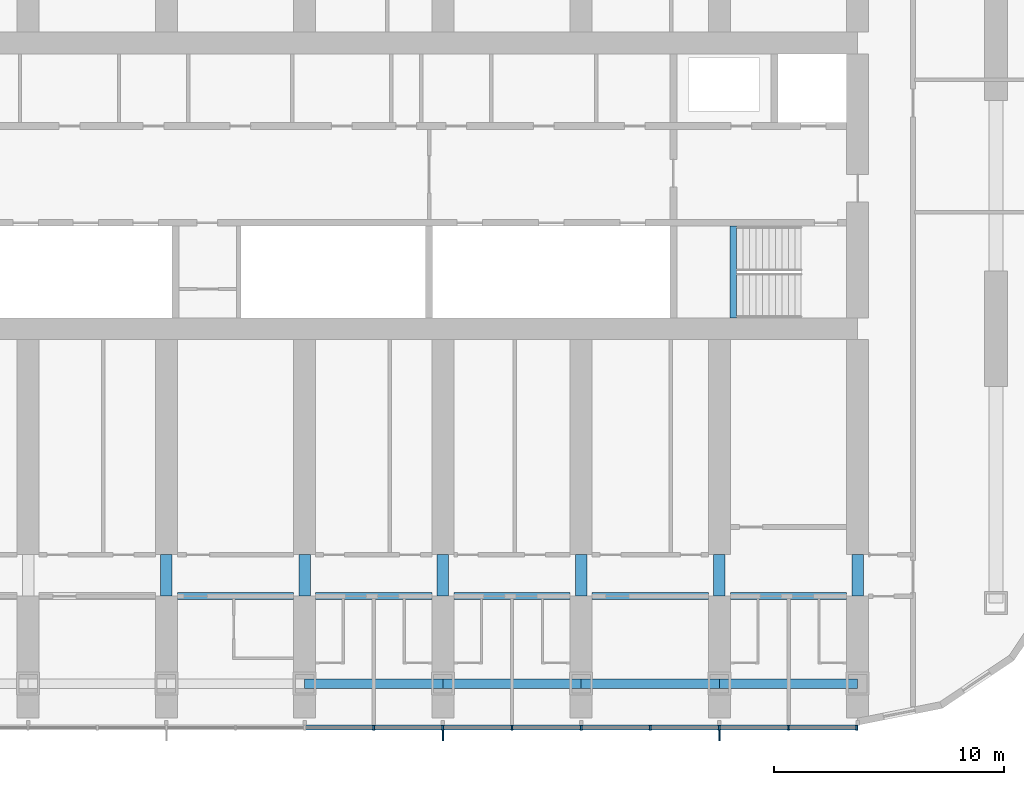
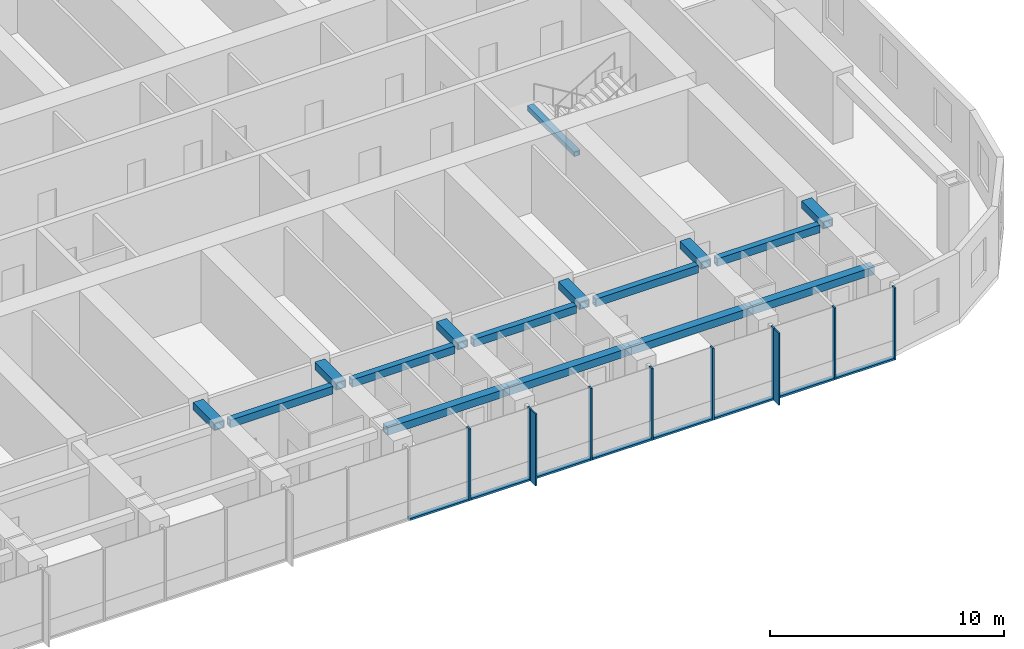
# One storey, part 3 of 21: 18 members, 16 beams, 1 element without a shape of its own.
"""IFC4 building model written with IfcOpenShell, lengths in metres."""

from ifc_helpers import new_model, si_unit, direction, frame, origin, origin_2d, place, context, subcontext, project, spatial, rectangle, hollow_rectangle, extrude, material, material_profile, profile_set, type_object, element, aggregate, save


model = new_model("IFC4")

# Units and contexts
model_context = context("Model", 3, precision=1e-05, world=origin(), true_north=direction((0.0, 1.0)))
body_context = subcontext(model_context, "Body", "Model", "MODEL_VIEW")
ifc_project = project(units=[si_unit("LENGTHUNIT", "METRE"), si_unit("AREAUNIT", "SQUARE_METRE"), si_unit("VOLUMEUNIT", "CUBIC_METRE"), si_unit("PLANEANGLEUNIT", "RADIAN"), si_unit("MASSUNIT", "GRAM", prefix="KILO")], contexts=[model_context])

# Site, building, storey
site_placement = place(None, origin())
site = spatial("IfcSite", under=ifc_project, at=site_placement, CompositionType="ELEMENT")
building_placement = place(site_placement, origin())
building = spatial("IfcBuilding", under=site, at=building_placement, Name="Orbita Commons", CompositionType="ELEMENT")
storey_placement = place(building_placement, frame((0.0, 0.0, 103.14990234375)))
storey = spatial("IfcBuildingStorey", under=building, at=storey_placement, Name="L25", CompositionType="ELEMENT", Elevation=103.14990234375)

# Curtain wall, members
ifc_material_1 = material(Name="Anodised aluminium frame, pale silver", Category="aluminium")
curtain_wall_type = type_object("IfcCurtainWallType", Name="Unitised curtain wall CW-T, vision and spandrel", PredefinedType="NOTDEFINED", material=ifc_material_1)
curtain_wall_placement = place(storey_placement, origin())
curtain_wall = element("IfcCurtainWall", 1, at=curtain_wall_placement, inside=storey, type_object=curtain_wall_type, Name="Curtain wall south L25", PredefinedType="NOTDEFINED")
ifc_material_2 = material(Name="Anodised aluminium, pale silver", Category="aluminium")
ifc_material_profile_1 = material_profile(ifc_material_2, rectangle(XDim=0.080078125, YDim=0.219970703125, at=origin_2d()), Name="AL 80x220")
ifc_profile_set_1 = profile_set([ifc_material_profile_1], Name="Anodised aluminium, pale silver")
member_type_1 = type_object("IfcMemberType", Name="Curtain wall mullion 80x220", PredefinedType="MULLION", material=ifc_profile_set_1)
member_1_placement = place(storey_placement, frame((45.0, 8.489990234375, -0.25), z_axis=(0.0, 0.0, 1.0), x_axis=(1.0, 0.0, 0.0)))
member_1 = element("IfcMember", 2, at=member_1_placement, type_object=member_type_1, Name="Mullion 12 CW-L25-S", PredefinedType="MULLION", context=body_context, shape_type="SweptSolid", body=[
    extrude(rectangle(XDim=0.080078125, YDim=0.219970703125, at=origin_2d()), origin(), (0.0, 0.0, 1.0), 3.75),
])
member_2_placement = place(storey_placement, frame((48.0, 8.489990234375, -0.25), z_axis=(0.0, 0.0, 1.0), x_axis=(1.0, 0.0, 0.0)))
member_2 = element("IfcMember", 3, at=member_2_placement, type_object=member_type_1, Name="Mullion 13 CW-L25-S", PredefinedType="MULLION", context=body_context, shape_type="SweptSolid", body=[
    extrude(rectangle(XDim=0.080078125, YDim=0.219970703125, at=origin_2d()), origin(), (0.0, 0.0, 1.0), 3.75),
])
member_3_placement = place(storey_placement, frame((51.0, 8.489990234375, -0.25), z_axis=(0.0, 0.0, 1.0), x_axis=(1.0, 0.0, 0.0)))
member_3 = element("IfcMember", 4, at=member_3_placement, type_object=member_type_1, Name="Mullion 14 CW-L25-S", PredefinedType="MULLION", context=body_context, shape_type="SweptSolid", body=[
    extrude(rectangle(XDim=0.080078125, YDim=0.219970703125, at=origin_2d()), origin(), (0.0, 0.0, 1.0), 3.75),
])
member_4_placement = place(storey_placement, frame((54.0, 8.489990234375, -0.25), z_axis=(0.0, 0.0, 1.0), x_axis=(1.0, 0.0, 0.0)))
member_4 = element("IfcMember", 5, at=member_4_placement, type_object=member_type_1, Name="Mullion 15 CW-L25-S", PredefinedType="MULLION", context=body_context, shape_type="SweptSolid", body=[
    extrude(rectangle(XDim=0.080078125, YDim=0.219970703125, at=origin_2d()), origin(), (0.0, 0.0, 1.0), 3.75),
])
member_5_placement = place(storey_placement, frame((57.0, 8.489990234375, -0.25), z_axis=(0.0, 0.0, 1.0), x_axis=(1.0, 0.0, 0.0)))
member_5 = element("IfcMember", 6, at=member_5_placement, type_object=member_type_1, Name="Mullion 16 CW-L25-S", PredefinedType="MULLION", context=body_context, shape_type="SweptSolid", body=[
    extrude(rectangle(XDim=0.080078125, YDim=0.219970703125, at=origin_2d()), origin(), (0.0, 0.0, 1.0), 3.75),
])
member_6_placement = place(storey_placement, frame((60.0, 8.489990234375, -0.25), z_axis=(0.0, 0.0, 1.0), x_axis=(1.0, 0.0, 0.0)))
member_6 = element("IfcMember", 7, at=member_6_placement, type_object=member_type_1, Name="Mullion 17 CW-L25-S", PredefinedType="MULLION", context=body_context, shape_type="SweptSolid", body=[
    extrude(rectangle(XDim=0.080078125, YDim=0.219970703125, at=origin_2d()), origin(), (0.0, 0.0, 1.0), 3.75),
])
member_7_placement = place(storey_placement, frame((63.0, 8.489990234375, -0.25), z_axis=(0.0, 0.0, 1.0), x_axis=(1.0, 0.0, 0.0)))
member_7 = element("IfcMember", 8, at=member_7_placement, type_object=member_type_1, Name="Mullion 18 CW-L25-S", PredefinedType="MULLION", context=body_context, shape_type="SweptSolid", body=[
    extrude(rectangle(XDim=0.080078125, YDim=0.219970703125, at=origin_2d()), origin(), (0.0, 0.0, 1.0), 3.75),
])
member_8_placement = place(storey_placement, frame((65.9599609375, 8.489990234375, -0.25), z_axis=(0.0, 0.0, 1.0), x_axis=(1.0, 0.0, 0.0)))
member_8 = element("IfcMember", 9, at=member_8_placement, type_object=member_type_1, Name="Mullion 19 CW-L25-S", PredefinedType="MULLION", context=body_context, shape_type="SweptSolid", body=[
    extrude(rectangle(XDim=0.080078125, YDim=0.219970703125, at=origin_2d()), origin(), (0.0, 0.0, 1.0), 3.75),
])
ifc_material_3 = material(Name="Anodised aluminium, pale silver", Category="aluminium")
ifc_material_profile_2 = material_profile(ifc_material_3, rectangle(XDim=0.219970703125, YDim=0.10009765625, at=origin_2d()), Name="AL 220x100")
ifc_profile_set_2 = profile_set([ifc_material_profile_2], Name="Anodised aluminium, pale silver")
member_type_2 = type_object("IfcMemberType", Name="Curtain wall stack transom 220x100", PredefinedType="USERDEFINED", material=ifc_profile_set_2)
member_9_placement = place(storey_placement, frame((42.0400390625, 8.489990234375, -0.199951171875), z_axis=(1.0, 0.0, 0.0), x_axis=(0.0, 1.0, 0.0)))
member_9 = element("IfcMember", 10, at=member_9_placement, type_object=member_type_2, Name="Transom 11.1 CW-L25-S", ObjectType="TRANSOM", PredefinedType="USERDEFINED", context=body_context, shape_type="SweptSolid", body=[
    extrude(rectangle(XDim=0.219970703125, YDim=0.10009765625, at=origin_2d()), origin(), (0.0, 0.0, 1.0), 2.919921875),
])
member_10_placement = place(storey_placement, frame((45.0400390625, 8.489990234375, -0.199951171875), z_axis=(1.0, 0.0, 0.0), x_axis=(0.0, 1.0, 0.0)))
member_10 = element("IfcMember", 11, at=member_10_placement, type_object=member_type_2, Name="Transom 12.1 CW-L25-S", ObjectType="TRANSOM", PredefinedType="USERDEFINED", context=body_context, shape_type="SweptSolid", body=[
    extrude(rectangle(XDim=0.219970703125, YDim=0.10009765625, at=origin_2d()), origin(), (0.0, 0.0, 1.0), 2.919921875),
])
member_11_placement = place(storey_placement, frame((48.0400390625, 8.489990234375, -0.199951171875), z_axis=(1.0, 0.0, 0.0), x_axis=(0.0, 1.0, 0.0)))
member_11 = element("IfcMember", 12, at=member_11_placement, type_object=member_type_2, Name="Transom 13.1 CW-L25-S", ObjectType="TRANSOM", PredefinedType="USERDEFINED", context=body_context, shape_type="SweptSolid", body=[
    extrude(rectangle(XDim=0.219970703125, YDim=0.10009765625, at=origin_2d()), origin(), (0.0, 0.0, 1.0), 2.919921875),
])
member_12_placement = place(storey_placement, frame((51.0400390625, 8.489990234375, -0.199951171875), z_axis=(1.0, 0.0, 0.0), x_axis=(0.0, 1.0, 0.0)))
member_12 = element("IfcMember", 13, at=member_12_placement, type_object=member_type_2, Name="Transom 14.1 CW-L25-S", ObjectType="TRANSOM", PredefinedType="USERDEFINED", context=body_context, shape_type="SweptSolid", body=[
    extrude(rectangle(XDim=0.219970703125, YDim=0.10009765625, at=origin_2d()), origin(), (0.0, 0.0, 1.0), 2.919921875),
])
member_13_placement = place(storey_placement, frame((54.0400390625, 8.489990234375, -0.199951171875), z_axis=(1.0, 0.0, 0.0), x_axis=(0.0, 1.0, 0.0)))
member_13 = element("IfcMember", 14, at=member_13_placement, type_object=member_type_2, Name="Transom 15.1 CW-L25-S", ObjectType="TRANSOM", PredefinedType="USERDEFINED", context=body_context, shape_type="SweptSolid", body=[
    extrude(rectangle(XDim=0.219970703125, YDim=0.10009765625, at=origin_2d()), origin(), (0.0, 0.0, 1.0), 2.919921875),
])
member_14_placement = place(storey_placement, frame((57.0400390625, 8.489990234375, -0.199951171875), z_axis=(1.0, 0.0, 0.0), x_axis=(0.0, 1.0, 0.0)))
member_14 = element("IfcMember", 15, at=member_14_placement, type_object=member_type_2, Name="Transom 16.1 CW-L25-S", ObjectType="TRANSOM", PredefinedType="USERDEFINED", context=body_context, shape_type="SweptSolid", body=[
    extrude(rectangle(XDim=0.219970703125, YDim=0.10009765625, at=origin_2d()), origin(), (0.0, 0.0, 1.0), 2.919921875),
])
member_15_placement = place(storey_placement, frame((60.0400390625, 8.489990234375, -0.199951171875), z_axis=(1.0, 0.0, 0.0), x_axis=(0.0, 1.0, 0.0)))
member_15 = element("IfcMember", 16, at=member_15_placement, type_object=member_type_2, Name="Transom 17.1 CW-L25-S", ObjectType="TRANSOM", PredefinedType="USERDEFINED", context=body_context, shape_type="SweptSolid", body=[
    extrude(rectangle(XDim=0.219970703125, YDim=0.10009765625, at=origin_2d()), origin(), (0.0, 0.0, 1.0), 2.919921875),
])
member_16_placement = place(storey_placement, frame((63.0400390625, 8.489990234375, -0.199951171875), z_axis=(1.0, 0.0, 0.0), x_axis=(0.0, 1.0, 0.0)))
member_16 = element("IfcMember", 17, at=member_16_placement, type_object=member_type_2, Name="Transom 18.1 CW-L25-S", ObjectType="TRANSOM", PredefinedType="USERDEFINED", context=body_context, shape_type="SweptSolid", body=[
    extrude(rectangle(XDim=0.219970703125, YDim=0.10009765625, at=origin_2d()), origin(), (0.0, 0.0, 1.0), 2.8798828125),
])

# Beams
ifc_material_4 = material(Name="Steel ASTM A572 Gr 50 welded plate", Category="steel")
ifc_material_profile_3 = material_profile(ifc_material_4, hollow_rectangle(XDim=0.300048828125, YDim=0.25, WallThickness=0.02490234375, at=origin_2d()), Name="BOX 250x300x25")
ifc_profile_set_3 = profile_set([ifc_material_profile_3], Name="Steel ASTM A572 Gr 50 welded plate")
beam_type_1 = type_object("IfcBeamType", Name="Stair landing beam steel BOX 250x300x25", PredefinedType="BEAM", material=ifc_profile_set_3)
beam_placement = place(storey_placement, frame((60.60009765625, 26.260009765625, 1.550048828125), z_axis=(0.0, 1.0, 0.0), x_axis=(-1.0, 0.0, 0.0)))
element("IfcBeam", 18, at=beam_placement, inside=storey, type_object=beam_type_1, Name="Stair S2 landing beam L25 1", PredefinedType="BEAM", context=body_context, shape_type="SweptSolid", body=[
    extrude(hollow_rectangle(XDim=0.300048828125, YDim=0.25, WallThickness=0.02490234375, at=origin_2d()), origin(), (0.0, 0.0, 1.0), 4.0048828125),
])
ifc_material_5 = material(Name="Steel ASTM A572 Gr 50 welded plate", Category="steel")
ifc_material_profile_4 = material_profile(ifc_material_5, hollow_rectangle(XDim=0.300048828125, YDim=0.39990234375, WallThickness=0.0400390625, at=origin_2d()), Name="BOX 400x300x40")
ifc_profile_set_4 = profile_set([ifc_material_profile_4], Name="Steel ASTM A572 Gr 50 welded plate")
beam_type_2 = type_object("IfcBeamType", Name="Steel corridor link BOX 400x300x40", PredefinedType="BEAM", material=ifc_profile_set_4)
for number, where, z_axis, x_axis, name in (
    (19, (36.47509765625, 14.199951171875, 3.300048828125), (1.0, 0.0, 0.0), (0.0, 1.0, 0.0), "Corridor beam SA 7-8 L25"),
    (20, (42.47509765625, 14.199951171875, 3.300048828125), (1.0, 0.0, 0.0), (0.0, 1.0, 0.0), "Corridor beam SA 8-9 L25"),
    (21, (48.47509765625, 14.199951171875, 3.300048828125), (1.0, 0.0, 0.0), (0.0, 1.0, 0.0), "Corridor beam SA 9-10 L25"),
    (22, (54.47509765625, 14.199951171875, 3.300048828125), (1.0, 0.0, 0.0), (0.0, 1.0, 0.0), "Corridor beam SA 10-11 L25"),
    (23, (60.47509765625, 14.199951171875, 3.300048828125), (1.0, 0.0, 0.0), (0.0, 1.0, 0.0), "Corridor beam SA 11-12 L25"),
):
    element("IfcBeam", number, at=place(storey_placement, frame(where, z_axis=z_axis, x_axis=x_axis)), inside=storey, type_object=beam_type_2, Name=name, PredefinedType="BEAM", context=body_context, shape_type="SweptSolid", body=[
        extrude(hollow_rectangle(XDim=0.300048828125, YDim=0.39990234375, WallThickness=0.0400390625, at=origin_2d()), origin(), (0.0, 0.0, 1.0), 5.0498046875),
    ])
ifc_material_6 = material(Name="Steel ASTM A572 Gr 50 welded plate", Category="steel")
ifc_material_profile_5 = material_profile(ifc_material_6, hollow_rectangle(XDim=0.5, YDim=0.39990234375, WallThickness=0.050048828125, at=origin_2d()), Name="BOX 400x500x50")
ifc_profile_set_5 = profile_set([ifc_material_profile_5], Name="Steel ASTM A572 Gr 50 welded plate")
beam_type_3 = type_object("IfcBeamType", Name="Steel coupling link BOX 400x500x50", PredefinedType="LINTEL", material=ifc_profile_set_5)
for number, where, z_axis, x_axis, name in (
    (24, (36.0, 14.199951171875, 3.300048828125), (0.0, 1.0, 0.0), (-1.0, 0.0, 0.0), "Coupling beam 7 south L25"),
    (25, (42.0, 14.199951171875, 3.300048828125), (0.0, 1.0, 0.0), (-1.0, 0.0, 0.0), "Coupling beam 8 south L25"),
    (26, (48.0, 14.199951171875, 3.300048828125), (0.0, 1.0, 0.0), (-1.0, 0.0, 0.0), "Coupling beam 9 south L25"),
    (27, (54.0, 14.199951171875, 3.300048828125), (0.0, 1.0, 0.0), (-1.0, 0.0, 0.0), "Coupling beam 10 south L25"),
    (28, (60.0, 14.199951171875, 3.300048828125), (0.0, 1.0, 0.0), (-1.0, 0.0, 0.0), "Coupling beam 11 south L25"),
    (29, (66.0, 14.199951171875, 3.300048828125), (0.0, 1.0, 0.0), (-1.0, 0.0, 0.0), "Coupling beam 12 south L25"),
):
    element("IfcBeam", number, at=place(storey_placement, frame(where, z_axis=z_axis, x_axis=x_axis)), inside=storey, type_object=beam_type_3, Name=name, PredefinedType="LINTEL", context=body_context, shape_type="SweptSolid", body=[
        extrude(hollow_rectangle(XDim=0.5, YDim=0.39990234375, WallThickness=0.050048828125, at=origin_2d()), origin(), (0.0, 0.0, 1.0), 1.800048828125),
    ])
ifc_material_7 = material(Name="Steel ASTM A572 Gr 50 welded plate", Category="steel")
ifc_material_profile_6 = material_profile(ifc_material_7, hollow_rectangle(XDim=0.39990234375, YDim=0.39990234375, WallThickness=0.0400390625, at=origin_2d()), Name="BOX 400x400x40")
ifc_profile_set_6 = profile_set([ifc_material_profile_6], Name="Steel ASTM A572 Gr 50 welded plate")
beam_type_4 = type_object("IfcBeamType", Name="Steel spandrel BOX 400x400x40", PredefinedType="SPANDREL", material=ifc_profile_set_6)
for number, where, z_axis, x_axis, name in (
    (30, (42.0, 10.39990234375, 3.300048828125), (1.0, 0.0, 0.0), (0.0, 1.0, 0.0), "Spandrel beam B 8-9 L25"),
    (31, (48.0, 10.39990234375, 3.300048828125), (1.0, 0.0, 0.0), (0.0, 1.0, 0.0), "Spandrel beam B 9-10 L25"),
    (32, (54.0, 10.39990234375, 3.300048828125), (1.0, 0.0, 0.0), (0.0, 1.0, 0.0), "Spandrel beam B 10-11 L25"),
    (33, (60.0, 10.39990234375, 3.300048828125), (1.0, 0.0, 0.0), (0.0, 1.0, 0.0), "Spandrel beam B 11-12 L25"),
):
    element("IfcBeam", number, at=place(storey_placement, frame(where, z_axis=z_axis, x_axis=x_axis)), inside=storey, type_object=beam_type_4, Name=name, PredefinedType="SPANDREL", context=body_context, shape_type="SweptSolid", body=[
        extrude(hollow_rectangle(XDim=0.39990234375, YDim=0.39990234375, WallThickness=0.0400390625, at=origin_2d()), origin(), (0.0, 0.0, 1.0), 6.0),
    ])

# Member
ifc_material_8 = material(Name="Anodised aluminium, pale silver", Category="aluminium")
ifc_material_profile_7 = material_profile(ifc_material_8, rectangle(XDim=0.06005859375, YDim=0.449951171875, at=origin_2d()), Name="FIN 60x450")
ifc_profile_set_7 = profile_set([ifc_material_profile_7], Name="Anodised aluminium, pale silver")
member_type_3 = type_object("IfcMemberType", Name="Vertical fin 60x450 pale aluminium", PredefinedType="USERDEFINED", material=ifc_profile_set_7)
member_17_placement = place(storey_placement, frame((48.0, 8.155029296875, -0.25), z_axis=(0.0, 0.0, 1.0), x_axis=(1.0, 0.0, 0.0)))
member_17 = element("IfcMember", 34, at=member_17_placement, type_object=member_type_3, Name="Fin 13 CW-L25-S", ObjectType="FIN", PredefinedType="USERDEFINED", context=body_context, shape_type="SweptSolid", body=[
    extrude(rectangle(XDim=0.06005859375, YDim=0.449951171875, at=origin_2d()), origin(), (0.0, 0.0, 1.0), 3.75),
])

member_18_placement = place(storey_placement, frame((60.0, 8.155029296875, -0.25), z_axis=(0.0, 0.0, 1.0), x_axis=(1.0, 0.0, 0.0)))
member_18 = element("IfcMember", 35, at=member_18_placement, type_object=member_type_3, Name="Fin 17 CW-L25-S", ObjectType="FIN", PredefinedType="USERDEFINED", context=body_context, shape_type="SweptSolid", body=[
    extrude(rectangle(XDim=0.06005859375, YDim=0.449951171875, at=origin_2d()), origin(), (0.0, 0.0, 1.0), 3.75),
])

aggregate(curtain_wall, [member_1, member_2, member_17, member_3, member_4, member_5, member_6, member_18, member_7, member_8, member_9, member_10, member_11, member_12, member_13, member_14, member_15, member_16])

save(model, "model.ifc")
